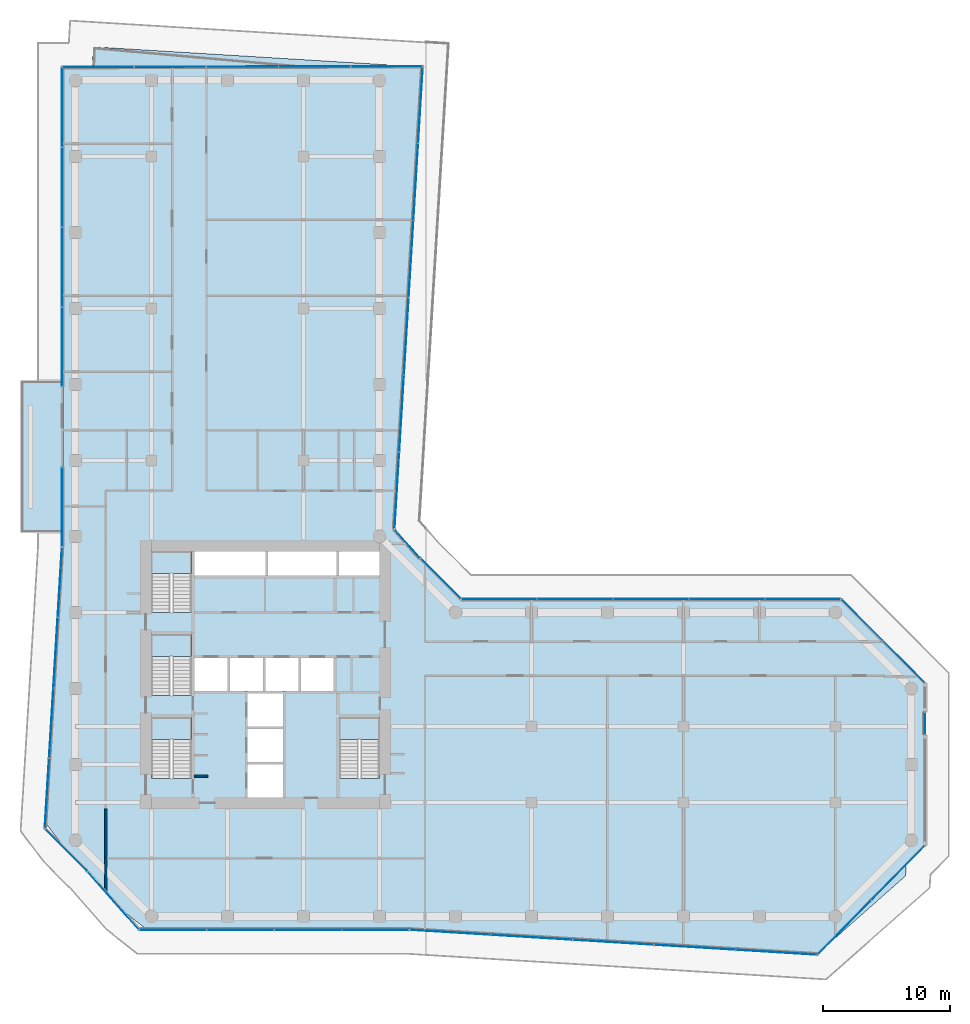
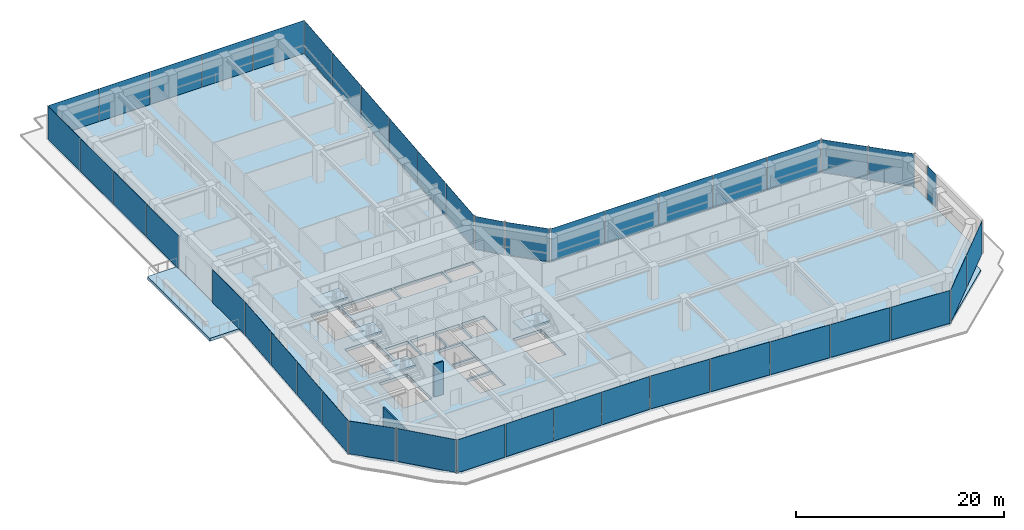
# One storey, part 20 of 27: 43 plates, 6 slabs, 3 walls, 19 elements without a shape of their own.
"""IFC4 building model written with IfcOpenShell, lengths in metres."""

from ifc_helpers import new_model, si_unit, direction, frame, frame_2d, origin, origin_2d, place, context, subcontext, project, spatial, polyline, rectangle, outline, extrude, material, layer, layer_set, type_object, element, aggregate, save


model = new_model("IFC4")

# Units and contexts
model_context = context("Model", 3, precision=1e-05, world=origin(), true_north=direction((0.0, 1.0)))
body_context = subcontext(model_context, "Body", "Model", "MODEL_VIEW")
ifc_project = project(units=[si_unit("LENGTHUNIT", "METRE"), si_unit("AREAUNIT", "SQUARE_METRE"), si_unit("VOLUMEUNIT", "CUBIC_METRE"), si_unit("PLANEANGLEUNIT", "RADIAN"), si_unit("MASSUNIT", "GRAM", prefix="KILO")], contexts=[model_context])

# Site, building, storey
site_placement = place(None, origin())
site = spatial("IfcSite", under=ifc_project, at=site_placement, CompositionType="ELEMENT")
building_placement = place(site_placement, origin())
building = spatial("IfcBuilding", under=site, at=building_placement, Name="Welwitschia Terrace Campus", CompositionType="ELEMENT")
storey_placement = place(building_placement, frame((0.0, 0.0, 37.39990234375)))
storey = spatial("IfcBuildingStorey", under=building, at=storey_placement, Name="L08", CompositionType="ELEMENT", Elevation=37.39990234375)

# Curtain wall, plates
ifc_material_1 = material(Name="Bronze anodised aluminium", Category="aluminium")
ifc_layer_1 = layer(ifc_material_1, 0.1201171875)
ifc_layer_set_1 = layer_set([ifc_layer_1], Name="Bronze anodised aluminium")
curtain_wall_type = type_object("IfcCurtainWallType", Name="Curtain wall CW2 tower 6000", PredefinedType="NOTDEFINED", material=ifc_layer_set_1)
curtain_wall_1_placement = place(storey_placement, origin())
curtain_wall_1 = element("IfcCurtainWall", 1, at=curtain_wall_1_placement, inside=storey, type_object=curtain_wall_type, Name="CW L08.0.0", PredefinedType="NOTDEFINED")
ifc_material_2 = material(Name="Tinted bronze-grey glass", Category="glass")
ifc_layer_2 = layer(ifc_material_2, 0.028076171875)
ifc_layer_set_2 = layer_set([ifc_layer_2], Name="Tinted bronze-grey glass")
plate_type = type_object("IfcPlateType", Name="Glass panel 28 tinted", PredefinedType="CURTAIN_PANEL", material=ifc_layer_set_2)
plate_1_placement = place(storey_placement, frame((-1.228759765625, 22.35693359375, 0.0), z_axis=(0.0, 0.0, 1.0), x_axis=(-0.061048539535, -0.998134798422, 0.0)))
plate_1 = element("IfcPlate", 2, at=plate_1_placement, type_object=plate_type, Name="Panel L08.0.0.0", PredefinedType="CURTAIN_PANEL", context=body_context, shape_type="SweptSolid", body=[
    extrude(rectangle(XDim=5.477783203125, YDim=0.028076171875, at=origin_2d()), origin(), (0.0, 0.0, 1.0), 3.85009765625),
])
plate_2_placement = place(storey_placement, frame((-1.56787109375, 16.814697265625, 0.0), z_axis=(0.0, 0.0, 1.0), x_axis=(-0.061048539535, -0.998134798422, 0.0)))
plate_2 = element("IfcPlate", 3, at=plate_2_placement, type_object=plate_type, Name="Panel L08.0.0.1", PredefinedType="CURTAIN_PANEL", context=body_context, shape_type="SweptSolid", body=[
    extrude(rectangle(XDim=5.507568359375, YDim=0.028076171875, at=origin_2d()), origin(), (0.0, 0.0, 1.0), 3.85009765625),
])
plate_3_placement = place(storey_placement, frame((-1.90771484375, 11.25732421875, 0.0), z_axis=(0.0, 0.0, 1.0), x_axis=(-0.061048539535, -0.998134798422, 0.0)))
plate_3 = element("IfcPlate", 4, at=plate_3_placement, type_object=plate_type, Name="Panel L08.0.0.2", PredefinedType="CURTAIN_PANEL", context=body_context, shape_type="SweptSolid", body=[
    extrude(rectangle(XDim=5.507568359375, YDim=0.028076171875, at=origin_2d()), origin(), (0.0, 0.0, 1.0), 3.85009765625),
])
plate_4_placement = place(storey_placement, frame((-2.246826171875, 5.715087890625, 0.0), z_axis=(0.0, 0.0, 1.0), x_axis=(-0.061048539535, -0.998134798422, 0.0)))
plate_4 = element("IfcPlate", 5, at=plate_4_placement, type_object=plate_type, Name="Panel L08.0.0.3", PredefinedType="CURTAIN_PANEL", context=body_context, shape_type="SweptSolid", body=[
    extrude(rectangle(XDim=5.477783203125, YDim=0.028076171875, at=origin_2d()), origin(), (0.0, 0.0, 1.0), 3.85009765625),
])
aggregate(curtain_wall_1, [plate_1, plate_2, plate_3, plate_4])

# Curtain wall, plate
curtain_wall_2_placement = place(storey_placement, origin())
curtain_wall_2 = element("IfcCurtainWall", 6, at=curtain_wall_2_placement, inside=storey, type_object=curtain_wall_type, Name="CW L08.1.0", PredefinedType="NOTDEFINED")
plate_5_placement = place(storey_placement, frame((-0.72705078125, 1.230712890625, 0.0), z_axis=(0.0, 0.0, 1.0), x_axis=(0.707106781187, -0.707106781187, 0.0)))
plate_5 = element("IfcPlate", 7, at=plate_5_placement, type_object=plate_type, Name="Panel L08.1.0.0", PredefinedType="CURTAIN_PANEL", context=body_context, shape_type="SweptSolid", body=[
    extrude(rectangle(XDim=4.661865234375, YDim=0.028076171875, at=origin_2d()), origin(), (0.0, 0.0, 1.0), 3.85009765625),
])
aggregate(curtain_wall_2, [plate_5])

curtain_wall_3_placement = place(storey_placement, origin())
curtain_wall_3 = element("IfcCurtainWall", 8, at=curtain_wall_3_placement, inside=storey, type_object=curtain_wall_type, Name="CW L08.2.0", PredefinedType="NOTDEFINED")
plate_6_placement = place(storey_placement, frame((2.997802734375, -2.759033203125, 0.0), z_axis=(0.0, 0.0, 1.0), x_axis=(0.662620048216, -0.748955720789, 0.0)))
plate_6 = element("IfcPlate", 9, at=plate_6_placement, type_object=plate_type, Name="Panel L08.2.0.0", PredefinedType="CURTAIN_PANEL", context=body_context, shape_type="SweptSolid", body=[
    extrude(rectangle(XDim=6.019287109375, YDim=0.028076171875, at=origin_2d()), origin(), (0.0, 0.0, 1.0), 3.85009765625),
])
aggregate(curtain_wall_3, [plate_6])

# Curtain wall, plates
curtain_wall_4_placement = place(storey_placement, origin())
curtain_wall_4 = element("IfcCurtainWall", 10, at=curtain_wall_4_placement, inside=storey, type_object=curtain_wall_type, Name="CW L08.3.0", PredefinedType="NOTDEFINED")
plate_7_placement = place(storey_placement, frame((7.71435546875, -5.05810546875, 0.0), z_axis=(0.0, 0.0, 1.0), x_axis=(1.0, 0.0, 0.0)))
plate_7 = element("IfcPlate", 11, at=plate_7_placement, type_object=plate_type, Name="Panel L08.3.0.0", PredefinedType="CURTAIN_PANEL", context=body_context, shape_type="SweptSolid", body=[
    extrude(rectangle(XDim=5.2451171875, YDim=0.028076171875, at=origin_2d()), origin(), (0.0, 0.0, 1.0), 3.85009765625),
])
plate_8_placement = place(storey_placement, frame((13.034423828125, -5.05810546875, 0.0), z_axis=(0.0, 0.0, 1.0), x_axis=(1.0, 0.0, 0.0)))
plate_8 = element("IfcPlate", 12, at=plate_8_placement, type_object=plate_type, Name="Panel L08.3.0.1", PredefinedType="CURTAIN_PANEL", context=body_context, shape_type="SweptSolid", body=[
    extrude(rectangle(XDim=5.275146484375, YDim=0.028076171875, at=origin_2d()), origin(), (0.0, 0.0, 1.0), 3.85009765625),
])
plate_9_placement = place(storey_placement, frame((18.369384765625, -5.05810546875, 0.0), z_axis=(0.0, 0.0, 1.0), x_axis=(1.0, 0.0, 0.0)))
plate_9 = element("IfcPlate", 13, at=plate_9_placement, type_object=plate_type, Name="Panel L08.3.0.2", PredefinedType="CURTAIN_PANEL", context=body_context, shape_type="SweptSolid", body=[
    extrude(rectangle(XDim=5.275146484375, YDim=0.028076171875, at=origin_2d()), origin(), (0.0, 0.0, 1.0), 3.85009765625),
])
plate_10_placement = place(storey_placement, frame((23.689453125, -5.05810546875, 0.0), z_axis=(0.0, 0.0, 1.0), x_axis=(1.0, 0.0, 0.0)))
plate_10 = element("IfcPlate", 14, at=plate_10_placement, type_object=plate_type, Name="Panel L08.3.0.3", PredefinedType="CURTAIN_PANEL", context=body_context, shape_type="SweptSolid", body=[
    extrude(rectangle(XDim=5.2451171875, YDim=0.028076171875, at=origin_2d()), origin(), (0.0, 0.0, 1.0), 3.85009765625),
])
aggregate(curtain_wall_4, [plate_7, plate_8, plate_9, plate_10])

curtain_wall_5_placement = place(storey_placement, origin())
curtain_wall_5 = element("IfcCurtainWall", 15, at=curtain_wall_5_placement, inside=storey, type_object=curtain_wall_type, Name="CW L08.4.0", PredefinedType="NOTDEFINED")
plate_11_placement = place(storey_placement, frame((29.608154296875, -5.255859375, 0.0), z_axis=(0.0, 0.0, 1.0), x_axis=(0.998134798422, -0.061048539535, 0.0)))
plate_11 = element("IfcPlate", 16, at=plate_11_placement, type_object=plate_type, Name="Panel L08.4.0.0", PredefinedType="CURTAIN_PANEL", context=body_context, shape_type="SweptSolid", body=[
    extrude(rectangle(XDim=6.36474609375, YDim=0.028076171875, at=origin_2d()), origin(), (0.0, 0.0, 1.0), 3.85009765625),
])
plate_12_placement = place(storey_placement, frame((36.035888671875, -5.649169921875, 0.0), z_axis=(0.0, 0.0, 1.0), x_axis=(0.998134798422, -0.061048539535, 0.0)))
plate_12 = element("IfcPlate", 17, at=plate_12_placement, type_object=plate_type, Name="Panel L08.4.0.1", PredefinedType="CURTAIN_PANEL", context=body_context, shape_type="SweptSolid", body=[
    extrude(rectangle(XDim=6.39453125, YDim=0.028076171875, at=origin_2d()), origin(), (0.0, 0.0, 1.0), 3.85009765625),
])
plate_13_placement = place(storey_placement, frame((42.478515625, -6.043212890625, 0.0), z_axis=(0.0, 0.0, 1.0), x_axis=(0.998134798422, -0.061048539535, 0.0)))
plate_13 = element("IfcPlate", 18, at=plate_13_placement, type_object=plate_type, Name="Panel L08.4.0.2", PredefinedType="CURTAIN_PANEL", context=body_context, shape_type="SweptSolid", body=[
    extrude(rectangle(XDim=6.39453125, YDim=0.028076171875, at=origin_2d()), origin(), (0.0, 0.0, 1.0), 3.85009765625),
])
plate_14_placement = place(storey_placement, frame((48.921142578125, -6.437255859375, 0.0), z_axis=(0.0, 0.0, 1.0), x_axis=(0.998134798422, -0.061048539535, 0.0)))
plate_14 = element("IfcPlate", 19, at=plate_14_placement, type_object=plate_type, Name="Panel L08.4.0.3", PredefinedType="CURTAIN_PANEL", context=body_context, shape_type="SweptSolid", body=[
    extrude(rectangle(XDim=6.39453125, YDim=0.028076171875, at=origin_2d()), origin(), (0.0, 0.0, 1.0), 3.85009765625),
])
plate_15_placement = place(storey_placement, frame((55.3486328125, -6.830322265625, 0.0), z_axis=(0.0, 0.0, 1.0), x_axis=(0.998134798422, -0.061048539535, 0.0)))
plate_15 = element("IfcPlate", 20, at=plate_15_placement, type_object=plate_type, Name="Panel L08.4.0.4", PredefinedType="CURTAIN_PANEL", context=body_context, shape_type="SweptSolid", body=[
    extrude(rectangle(XDim=6.36474609375, YDim=0.028076171875, at=origin_2d()), origin(), (0.0, 0.0, 1.0), 3.85009765625),
])
aggregate(curtain_wall_5, [plate_11, plate_12, plate_13, plate_14, plate_15])

curtain_wall_6_placement = place(storey_placement, origin())
curtain_wall_6 = element("IfcCurtainWall", 21, at=curtain_wall_6_placement, inside=storey, type_object=curtain_wall_type, Name="CW L08.5.0", PredefinedType="NOTDEFINED")
plate_16_placement = place(storey_placement, frame((60.7138671875, -4.8642578125, 0.0), z_axis=(0.0, 0.0, 1.0), x_axis=(0.701281216339, 0.712884742164, 0.0)))
plate_16 = element("IfcPlate", 22, at=plate_16_placement, type_object=plate_type, Name="Panel L08.5.0.0", PredefinedType="CURTAIN_PANEL", context=body_context, shape_type="SweptSolid", body=[
    extrude(rectangle(XDim=5.951171875, YDim=0.028076171875, at=origin_2d()), origin(), (0.0, 0.0, 1.0), 3.85009765625),
])
plate_17_placement = place(storey_placement, frame((64.92919921875, -0.5791015625, 0.0), z_axis=(0.0, 0.0, 1.0), x_axis=(0.701281216339, 0.712884742164, 0.0)))
plate_17 = element("IfcPlate", 23, at=plate_17_placement, type_object=plate_type, Name="Panel L08.5.0.1", PredefinedType="CURTAIN_PANEL", context=body_context, shape_type="SweptSolid", body=[
    extrude(rectangle(XDim=5.951171875, YDim=0.028076171875, at=origin_2d()), origin(), (0.0, 0.0, 1.0), 3.85009765625),
])
aggregate(curtain_wall_6, [plate_16, plate_17])

# Curtain wall, plate
curtain_wall_7_placement = place(storey_placement, origin())
curtain_wall_7 = element("IfcCurtainWall", 24, at=curtain_wall_7_placement, inside=storey, type_object=curtain_wall_type, Name="CW L08.6.S0", PredefinedType="NOTDEFINED")
plate_18_placement = place(storey_placement, frame((67.05810546875, 11.224853515625, 0.0), z_axis=(0.0, 0.0, 1.0), x_axis=(0.0, 1.0, 0.0)))
plate_18 = element("IfcPlate", 25, at=plate_18_placement, type_object=plate_type, Name="Panel L08.6.S0.0", PredefinedType="CURTAIN_PANEL", context=body_context, shape_type="SweptSolid", body=[
    extrude(rectangle(XDim=1.679931640625, YDim=0.028076171875, at=origin_2d()), origin(), (0.0, 0.0, 1.0), 3.85009765625),
])
aggregate(curtain_wall_7, [plate_18])

# Curtain wall, plates
curtain_wall_8_placement = place(storey_placement, origin())
curtain_wall_8 = element("IfcCurtainWall", 26, at=curtain_wall_8_placement, inside=storey, type_object=curtain_wall_type, Name="CW L08.7.0", PredefinedType="NOTDEFINED")
plate_19_placement = place(storey_placement, frame((65.392333984375, 16.103759765625, 0.0), z_axis=(0.0, 0.0, 1.0), x_axis=(-0.707106781187, 0.707106781187, 0.0)))
plate_19 = element("IfcPlate", 27, at=plate_19_placement, type_object=plate_type, Name="Panel L08.7.0.0", PredefinedType="CURTAIN_PANEL", context=body_context, shape_type="SweptSolid", body=[
    extrude(rectangle(XDim=4.5908203125, YDim=0.028076171875, at=origin_2d()), origin(), (0.0, 0.0, 1.0), 3.85009765625),
])
plate_20_placement = place(storey_placement, frame((62.103759765625, 19.392333984375, 0.0), z_axis=(0.0, 0.0, 1.0), x_axis=(-0.707106781187, 0.707106781187, 0.0)))
plate_20 = element("IfcPlate", 28, at=plate_20_placement, type_object=plate_type, Name="Panel L08.7.0.1", PredefinedType="CURTAIN_PANEL", context=body_context, shape_type="SweptSolid", body=[
    extrude(rectangle(XDim=4.5908203125, YDim=0.028076171875, at=origin_2d()), origin(), (0.0, 0.0, 1.0), 3.85009765625),
])
aggregate(curtain_wall_8, [plate_19, plate_20])

curtain_wall_9_placement = place(storey_placement, origin())
curtain_wall_9 = element("IfcCurtainWall", 29, at=curtain_wall_9_placement, inside=storey, type_object=curtain_wall_type, Name="CW L08.8.0", PredefinedType="NOTDEFINED")
plate_21_placement = place(storey_placement, frame((57.42333984375, 21.05810546875, 0.0), z_axis=(0.0, 0.0, 1.0), x_axis=(-1.0, 0.0, 0.0)))
plate_21 = element("IfcPlate", 30, at=plate_21_placement, type_object=plate_type, Name="Panel L08.8.0.0", PredefinedType="CURTAIN_PANEL", context=body_context, shape_type="SweptSolid", body=[
    extrude(rectangle(XDim=5.909912109375, YDim=0.028076171875, at=origin_2d()), origin(), (0.0, 0.0, 1.0), 3.85009765625),
])
plate_22_placement = place(storey_placement, frame((51.438232421875, 21.05810546875, 0.0), z_axis=(0.0, 0.0, 1.0), x_axis=(-1.0, 0.0, 0.0)))
plate_22 = element("IfcPlate", 31, at=plate_22_placement, type_object=plate_type, Name="Panel L08.8.0.1", PredefinedType="CURTAIN_PANEL", context=body_context, shape_type="SweptSolid", body=[
    extrude(rectangle(XDim=5.93994140625, YDim=0.028076171875, at=origin_2d()), origin(), (0.0, 0.0, 1.0), 3.85009765625),
])
plate_23_placement = place(storey_placement, frame((45.438232421875, 21.05810546875, 0.0), z_axis=(0.0, 0.0, 1.0), x_axis=(-1.0, 0.0, 0.0)))
plate_23 = element("IfcPlate", 32, at=plate_23_placement, type_object=plate_type, Name="Panel L08.8.0.2", PredefinedType="CURTAIN_PANEL", context=body_context, shape_type="SweptSolid", body=[
    extrude(rectangle(XDim=5.93994140625, YDim=0.028076171875, at=origin_2d()), origin(), (0.0, 0.0, 1.0), 3.85009765625),
])
plate_24_placement = place(storey_placement, frame((39.438232421875, 21.05810546875, 0.0), z_axis=(0.0, 0.0, 1.0), x_axis=(-1.0, 0.0, 0.0)))
plate_24 = element("IfcPlate", 33, at=plate_24_placement, type_object=plate_type, Name="Panel L08.8.0.3", PredefinedType="CURTAIN_PANEL", context=body_context, shape_type="SweptSolid", body=[
    extrude(rectangle(XDim=5.93994140625, YDim=0.028076171875, at=origin_2d()), origin(), (0.0, 0.0, 1.0), 3.85009765625),
])
plate_25_placement = place(storey_placement, frame((33.453125, 21.05810546875, 0.0), z_axis=(0.0, 0.0, 1.0), x_axis=(-1.0, 0.0, 0.0)))
plate_25 = element("IfcPlate", 34, at=plate_25_placement, type_object=plate_type, Name="Panel L08.8.0.4", PredefinedType="CURTAIN_PANEL", context=body_context, shape_type="SweptSolid", body=[
    extrude(rectangle(XDim=5.909912109375, YDim=0.028076171875, at=origin_2d()), origin(), (0.0, 0.0, 1.0), 3.85009765625),
])
aggregate(curtain_wall_9, [plate_21, plate_22, plate_23, plate_24, plate_25])

# Curtain wall, plate
curtain_wall_10_placement = place(storey_placement, origin())
curtain_wall_10 = element("IfcCurtainWall", 35, at=curtain_wall_10_placement, inside=storey, type_object=curtain_wall_type, Name="CW L08.9.0", PredefinedType="NOTDEFINED")
plate_26_placement = place(storey_placement, frame((28.838623046875, 22.65771484375, 0.0), z_axis=(0.0, 0.0, 1.0), x_axis=(-0.707106781187, 0.707106781187, 0.0)))
plate_26 = element("IfcPlate", 36, at=plate_26_placement, type_object=plate_type, Name="Panel L08.9.0.0", PredefinedType="CURTAIN_PANEL", context=body_context, shape_type="SweptSolid", body=[
    extrude(rectangle(XDim=4.404541015625, YDim=0.028076171875, at=origin_2d()), origin(), (0.0, 0.0, 1.0), 3.85009765625),
])
aggregate(curtain_wall_10, [plate_26])

curtain_wall_11_placement = place(storey_placement, origin())
curtain_wall_11 = element("IfcCurtainWall", 37, at=curtain_wall_11_placement, inside=storey, type_object=curtain_wall_type, Name="CW L08.10.0", PredefinedType="NOTDEFINED")
plate_27_placement = place(storey_placement, frame((26.21630859375, 25.413330078125, 0.0), z_axis=(0.0, 0.0, 1.0), x_axis=(-0.662620048216, 0.748955720789, 0.0)))
plate_27 = element("IfcPlate", 38, at=plate_27_placement, type_object=plate_type, Name="Panel L08.10.0.0", PredefinedType="CURTAIN_PANEL", context=body_context, shape_type="SweptSolid", body=[
    extrude(rectangle(XDim=2.966796875, YDim=0.028076171875, at=origin_2d()), origin(), (0.0, 0.0, 1.0), 3.85009765625),
])
aggregate(curtain_wall_11, [plate_27])

# Curtain wall, plates
curtain_wall_12_placement = place(storey_placement, origin())
curtain_wall_12 = element("IfcCurtainWall", 39, at=curtain_wall_12_placement, inside=storey, type_object=curtain_wall_type, Name="CW L08.11.0", PredefinedType="NOTDEFINED")
plate_28_placement = place(storey_placement, frame((25.380859375, 29.630126953125, 0.0), z_axis=(0.0, 0.0, 1.0), x_axis=(0.061048539535, 0.998134798422, 0.0)))
plate_28 = element("IfcPlate", 40, at=plate_28_placement, type_object=plate_type, Name="Panel L08.11.0.0", PredefinedType="CURTAIN_PANEL", context=body_context, shape_type="SweptSolid", body=[
    extrude(rectangle(XDim=6.01318359375, YDim=0.028076171875, at=origin_2d()), origin(), (0.0, 0.0, 1.0), 3.85009765625),
])
plate_29_placement = place(storey_placement, frame((25.75244140625, 35.70703125, 0.0), z_axis=(0.0, 0.0, 1.0), x_axis=(0.061048539535, 0.998134798422, 0.0)))
plate_29 = element("IfcPlate", 41, at=plate_29_placement, type_object=plate_type, Name="Panel L08.11.0.1", PredefinedType="CURTAIN_PANEL", context=body_context, shape_type="SweptSolid", body=[
    extrude(rectangle(XDim=6.043212890625, YDim=0.028076171875, at=origin_2d()), origin(), (0.0, 0.0, 1.0), 3.85009765625),
])
plate_30_placement = place(storey_placement, frame((26.125, 41.798828125, 0.0), z_axis=(0.0, 0.0, 1.0), x_axis=(0.061048539535, 0.998134798422, 0.0)))
plate_30 = element("IfcPlate", 42, at=plate_30_placement, type_object=plate_type, Name="Panel L08.11.0.2", PredefinedType="CURTAIN_PANEL", context=body_context, shape_type="SweptSolid", body=[
    extrude(rectangle(XDim=6.043212890625, YDim=0.028076171875, at=origin_2d()), origin(), (0.0, 0.0, 1.0), 3.85009765625),
])
plate_31_placement = place(storey_placement, frame((26.49755859375, 47.890869140625, 0.0), z_axis=(0.0, 0.0, 1.0), x_axis=(0.061048539535, 0.998134798422, 0.0)))
plate_31 = element("IfcPlate", 43, at=plate_31_placement, type_object=plate_type, Name="Panel L08.11.0.3", PredefinedType="CURTAIN_PANEL", context=body_context, shape_type="SweptSolid", body=[
    extrude(rectangle(XDim=6.043212890625, YDim=0.028076171875, at=origin_2d()), origin(), (0.0, 0.0, 1.0), 3.85009765625),
])
plate_32_placement = place(storey_placement, frame((26.870361328125, 53.982666015625, 0.0), z_axis=(0.0, 0.0, 1.0), x_axis=(0.061048539535, 0.998134798422, 0.0)))
plate_32 = element("IfcPlate", 44, at=plate_32_placement, type_object=plate_type, Name="Panel L08.11.0.4", PredefinedType="CURTAIN_PANEL", context=body_context, shape_type="SweptSolid", body=[
    extrude(rectangle(XDim=6.043212890625, YDim=0.028076171875, at=origin_2d()), origin(), (0.0, 0.0, 1.0), 3.85009765625),
])
plate_33_placement = place(storey_placement, frame((27.241943359375, 60.059814453125, 0.0), z_axis=(0.0, 0.0, 1.0), x_axis=(0.061048539535, 0.998134798422, 0.0)))
plate_33 = element("IfcPlate", 45, at=plate_33_placement, type_object=plate_type, Name="Panel L08.11.0.5", PredefinedType="CURTAIN_PANEL", context=body_context, shape_type="SweptSolid", body=[
    extrude(rectangle(XDim=6.01318359375, YDim=0.028076171875, at=origin_2d()), origin(), (0.0, 0.0, 1.0), 3.85009765625),
])
aggregate(curtain_wall_12, [plate_28, plate_29, plate_30, plate_31, plate_32, plate_33])

curtain_wall_13_placement = place(storey_placement, origin())
curtain_wall_13 = element("IfcCurtainWall", 46, at=curtain_wall_13_placement, inside=storey, type_object=curtain_wall_type, Name="CW L08.12.0", PredefinedType="NOTDEFINED")
plate_34_placement = place(storey_placement, frame((24.5654296875, 63.11376953125, 0.0), z_axis=(0.0, 0.0, 1.0), x_axis=(-0.999997136149, -0.002393259997, 0.0)))
plate_34 = element("IfcPlate", 47, at=plate_34_placement, type_object=plate_type, Name="Panel L08.12.0.0", PredefinedType="CURTAIN_PANEL", context=body_context, shape_type="SweptSolid", body=[
    extrude(rectangle(XDim=5.607421875, YDim=0.028076171875, at=origin_2d()), origin(), (0.0, 0.0, 1.0), 3.85009765625),
])
plate_35_placement = place(storey_placement, frame((18.883056640625, 63.10009765625, 0.0), z_axis=(0.0, 0.0, 1.0), x_axis=(-0.999997136149, -0.002393259997, 0.0)))
plate_35 = element("IfcPlate", 48, at=plate_35_placement, type_object=plate_type, Name="Panel L08.12.0.1", PredefinedType="CURTAIN_PANEL", context=body_context, shape_type="SweptSolid", body=[
    extrude(rectangle(XDim=5.637451171875, YDim=0.028076171875, at=origin_2d()), origin(), (0.0, 0.0, 1.0), 3.85009765625),
])
plate_36_placement = place(storey_placement, frame((13.185546875, 63.08642578125, 0.0), z_axis=(0.0, 0.0, 1.0), x_axis=(-0.999997136149, -0.002393259997, 0.0)))
plate_36 = element("IfcPlate", 49, at=plate_36_placement, type_object=plate_type, Name="Panel L08.12.0.2", PredefinedType="CURTAIN_PANEL", context=body_context, shape_type="SweptSolid", body=[
    extrude(rectangle(XDim=5.637451171875, YDim=0.028076171875, at=origin_2d()), origin(), (0.0, 0.0, 1.0), 3.85009765625),
])
plate_37_placement = place(storey_placement, frame((7.488037109375, 63.072998046875, 0.0), z_axis=(0.0, 0.0, 1.0), x_axis=(-0.999997136149, -0.002393259997, 0.0)))
plate_37 = element("IfcPlate", 50, at=plate_37_placement, type_object=plate_type, Name="Panel L08.12.0.3", PredefinedType="CURTAIN_PANEL", context=body_context, shape_type="SweptSolid", body=[
    extrude(rectangle(XDim=5.637451171875, YDim=0.028076171875, at=origin_2d()), origin(), (0.0, 0.0, 1.0), 3.85009765625),
])
plate_38_placement = place(storey_placement, frame((1.8056640625, 63.059326171875, 0.0), z_axis=(0.0, 0.0, 1.0), x_axis=(-0.999997136149, -0.002393259997, 0.0)))
plate_38 = element("IfcPlate", 51, at=plate_38_placement, type_object=plate_type, Name="Panel L08.12.0.4", PredefinedType="CURTAIN_PANEL", context=body_context, shape_type="SweptSolid", body=[
    extrude(rectangle(XDim=5.607421875, YDim=0.028076171875, at=origin_2d()), origin(), (0.0, 0.0, 1.0), 3.85009765625),
])
aggregate(curtain_wall_13, [plate_34, plate_35, plate_36, plate_37, plate_38])

curtain_wall_14_placement = place(storey_placement, origin())
curtain_wall_14 = element("IfcCurtainWall", 52, at=curtain_wall_14_placement, inside=storey, type_object=curtain_wall_type, Name="CW L08.13.0", PredefinedType="NOTDEFINED")
plate_39_placement = place(storey_placement, frame((-1.05810546875, 59.87890625, 0.0), z_axis=(0.0, 0.0, 1.0), x_axis=(0.0, -1.0, 0.0)))
plate_39 = element("IfcPlate", 53, at=plate_39_placement, type_object=plate_type, Name="Panel L08.13.0.0", PredefinedType="CURTAIN_PANEL", context=body_context, shape_type="SweptSolid", body=[
    extrude(rectangle(XDim=6.22705078125, YDim=0.028076171875, at=origin_2d()), origin(), (0.0, 0.0, 1.0), 3.85009765625),
])
plate_40_placement = place(storey_placement, frame((-1.05810546875, 53.576904296875, 0.0), z_axis=(0.0, 0.0, 1.0), x_axis=(0.0, -1.0, 0.0)))
plate_40 = element("IfcPlate", 54, at=plate_40_placement, type_object=plate_type, Name="Panel L08.13.0.1", PredefinedType="CURTAIN_PANEL", context=body_context, shape_type="SweptSolid", body=[
    extrude(rectangle(XDim=6.257080078125, YDim=0.028076171875, at=origin_2d()), origin(), (0.0, 0.0, 1.0), 3.85009765625),
])
plate_41_placement = place(storey_placement, frame((-1.05810546875, 47.260009765625, 0.0), z_axis=(0.0, 0.0, 1.0), x_axis=(0.0, -1.0, 0.0)))
plate_41 = element("IfcPlate", 55, at=plate_41_placement, type_object=plate_type, Name="Panel L08.13.0.2", PredefinedType="CURTAIN_PANEL", context=body_context, shape_type="SweptSolid", body=[
    extrude(rectangle(XDim=6.257080078125, YDim=0.028076171875, at=origin_2d()), origin(), (0.0, 0.0, 1.0), 3.85009765625),
])
plate_42_placement = place(storey_placement, frame((-1.05810546875, 40.9580078125, 0.0), z_axis=(0.0, 0.0, 1.0), x_axis=(0.0, -1.0, 0.0)))
plate_42 = element("IfcPlate", 56, at=plate_42_placement, type_object=plate_type, Name="Panel L08.13.0.3", PredefinedType="CURTAIN_PANEL", context=body_context, shape_type="SweptSolid", body=[
    extrude(rectangle(XDim=6.22705078125, YDim=0.028076171875, at=origin_2d()), origin(), (0.0, 0.0, 1.0), 3.85009765625),
])
aggregate(curtain_wall_14, [plate_39, plate_40, plate_41, plate_42])

# Curtain wall, plate
curtain_wall_15_placement = place(storey_placement, origin())
curtain_wall_15 = element("IfcCurtainWall", 57, at=curtain_wall_15_placement, inside=storey, type_object=curtain_wall_type, Name="CW L08.13.5", PredefinedType="NOTDEFINED")
plate_43_placement = place(storey_placement, frame((-1.05810546875, 28.30908203125, 0.0), z_axis=(0.0, 0.0, 1.0), x_axis=(0.0, -1.0, 0.0)))
plate_43 = element("IfcPlate", 58, at=plate_43_placement, type_object=plate_type, Name="Panel L08.13.5.0", PredefinedType="CURTAIN_PANEL", context=body_context, shape_type="SweptSolid", body=[
    extrude(rectangle(XDim=6.197021484375, YDim=0.028076171875, at=origin_2d()), origin(), (0.0, 0.0, 1.0), 3.85009765625),
])
aggregate(curtain_wall_15, [plate_43])

# Stair, slab
ifc_material_3 = material(Name="Concrete C40/50", Category="concrete")
stair_type = type_object("IfcStairType", Name="Stair 24R 175 W1500", PredefinedType="HALF_TURN_STAIR", material=ifc_material_3)
stair_1_placement = place(storey_placement, origin())
stair_1 = element("IfcStair", 59, at=stair_1_placement, inside=storey, type_object=stair_type, Name="L08 Exit stair S1", PredefinedType="HALF_TURN_STAIR")
ifc_material_4 = material(Name="Concrete C40/50", Category="concrete")
ifc_layer_3 = layer(ifc_material_4, 0.199951171875)
ifc_layer_set_3 = layer_set([ifc_layer_3], Name="Concrete C40/50")
slab_type_1 = type_object("IfcSlabType", Name="Stair landing RC", PredefinedType="LANDING", material=ifc_layer_set_3)
slab_1_placement = place(storey_placement, frame((0.0, 0.0, 1.900146484375)))
slab_1 = element("IfcSlab", 60, at=slab_1_placement, type_object=slab_type_1, Name="S1 landing 1", PredefinedType="LANDING", context=body_context, shape_type="SweptSolid", body=[
    extrude(outline(polyline([(9.14990234375, 9.97998046875), (9.14990234375, 11.699951171875), (6.0, 11.699951171875), (6.0, 9.97998046875), (9.14990234375, 9.97998046875)])), origin(), (0.0, 0.0, 1.0), 0.199951171875),
])
aggregate(stair_1, [slab_1])

stair_2_placement = place(storey_placement, origin())
stair_2 = element("IfcStair", 61, at=stair_2_placement, inside=storey, type_object=stair_type, Name="L08 Exit stair S3", PredefinedType="HALF_TURN_STAIR")
slab_2_placement = place(storey_placement, frame((0.0, 0.0, 1.900146484375)))
slab_2 = element("IfcSlab", 62, at=slab_2_placement, type_object=slab_type_1, Name="S3 landing 1", PredefinedType="LANDING", context=body_context, shape_type="SweptSolid", body=[
    extrude(outline(polyline([(9.14990234375, 16.530029296875), (9.14990234375, 18.25), (6.0, 18.25), (6.0, 16.530029296875), (9.14990234375, 16.530029296875)])), origin(), (0.0, 0.0, 1.0), 0.199951171875),
])
aggregate(stair_2, [slab_2])

stair_3_placement = place(storey_placement, origin())
stair_3 = element("IfcStair", 63, at=stair_3_placement, inside=storey, type_object=stair_type, Name="L08 Exit stair S4", PredefinedType="HALF_TURN_STAIR")
slab_3_placement = place(storey_placement, frame((0.0, 0.0, 1.900146484375)))
slab_3 = element("IfcSlab", 64, at=slab_3_placement, type_object=slab_type_1, Name="S4 landing 1", PredefinedType="LANDING", context=body_context, shape_type="SweptSolid", body=[
    extrude(outline(polyline([(9.14990234375, 23.080078125), (9.14990234375, 24.800048828125), (6.0, 24.800048828125), (6.0, 23.080078125), (9.14990234375, 23.080078125)])), origin(), (0.0, 0.0, 1.0), 0.199951171875),
])
aggregate(stair_3, [slab_3])

stair_4_placement = place(storey_placement, origin())
stair_4 = element("IfcStair", 65, at=stair_4_placement, inside=storey, type_object=stair_type, Name="L08 Exit stair S2", PredefinedType="HALF_TURN_STAIR")
slab_4_placement = place(storey_placement, frame((0.0, 0.0, 1.900146484375)))
slab_4 = element("IfcSlab", 66, at=slab_4_placement, type_object=slab_type_1, Name="S2 landing 1", PredefinedType="LANDING", context=body_context, shape_type="SweptSolid", body=[
    extrude(outline(polyline([(24.0, 9.97998046875), (24.0, 11.699951171875), (20.85009765625, 11.699951171875), (20.85009765625, 9.97998046875), (24.0, 9.97998046875)])), origin(), (0.0, 0.0, 1.0), 0.199951171875),
])
aggregate(stair_4, [slab_4])

# Slabs
ifc_material_5 = material(Name="Concrete C40/50", Category="concrete")
ifc_layer_4 = layer(ifc_material_5, 0.35009765625)
ifc_layer_set_4 = layer_set([ifc_layer_4], Name="Concrete C40/50")
slab_type_2 = type_object("IfcSlabType", Name="Suspended floor slab 350", PredefinedType="FLOOR", material=ifc_layer_set_4)
slab_5_placement = place(storey_placement, frame((0.0, 0.0, -0.349853515625)))
element("IfcSlab", 67, at=slab_5_placement, inside=storey, type_object=slab_type_2, Name="Floor slab L08", PredefinedType="FLOOR", context=body_context, shape_type="SweptSolid", body=[
    extrude(outline(polyline([(1.315185546875, 63.0), (1.416259765625, 64.653564453125), (27.36767578125, 63.066162109375), (25.13427734375, 26.548828125), (27.19677734375, 24.217529296875), (30.414306640625, 21.0), (60.414306640625, 21.0), (67.0, 14.414306640625), (67.0, 1.585693359375), (65.600341796875, 0.18603515625), (65.5400390625, -0.79736328125), (58.564697265625, -6.968994140625), (26.373779296875, -5.0), (5.585693359375, -5.0), (3.83837890625, -3.62158203125), (1.006103515625, -0.420166015625), (-1.0, 1.585693359375), (-2.3330078125, 3.353759765625), (-1.0, 25.148681640625), (-1.0, 26.290771484375), (-0.985107421875, 26.290771484375), (-0.985107421875, 38.294921875), (-1.0, 38.294921875), (-1.0, 63.0), (1.315185546875, 63.0)]), holes=[polyline([(13.60009765625, 5.39990234375), (16.39990234375, 5.39990234375), (16.39990234375, 8.0), (13.60009765625, 8.0), (13.60009765625, 5.39990234375)]), polyline([(6.0, 11.699951171875), (6.0, 6.902099609375), (9.14990234375, 6.902099609375), (9.14990234375, 11.699951171875), (6.0, 11.699951171875)]), polyline([(9.39990234375, 16.39990234375), (9.39990234375, 13.800048828125), (12.0, 13.800048828125), (12.0, 16.39990234375), (9.39990234375, 16.39990234375)]), polyline([(12.199951171875, 16.39990234375), (12.199951171875, 13.800048828125), (14.800048828125, 13.800048828125), (14.800048828125, 16.39990234375), (12.199951171875, 16.39990234375)]), polyline([(6.0, 18.25), (6.0, 13.451904296875), (9.14990234375, 13.451904296875), (9.14990234375, 18.25), (6.0, 18.25)]), polyline([(6.0, 24.800048828125), (6.0, 20.001953125), (9.14990234375, 20.001953125), (9.14990234375, 24.800048828125), (6.0, 24.800048828125)]), polyline([(9.39990234375, 24.800048828125), (9.39990234375, 22.89990234375), (15.0, 22.89990234375), (15.0, 24.800048828125), (9.39990234375, 24.800048828125)]), polyline([(20.85009765625, 6.902099609375), (24.0, 6.902099609375), (24.0, 11.699951171875), (20.85009765625, 11.699951171875), (20.85009765625, 6.902099609375)]), polyline([(13.60009765625, 10.800048828125), (13.60009765625, 8.199951171875), (16.39990234375, 8.199951171875), (16.39990234375, 10.800048828125), (13.60009765625, 10.800048828125)]), polyline([(13.60009765625, 13.60009765625), (13.60009765625, 11.0), (16.39990234375, 11.0), (16.39990234375, 13.60009765625), (13.60009765625, 13.60009765625)]), polyline([(15.0, 16.39990234375), (15.0, 13.800048828125), (17.60009765625, 13.800048828125), (17.60009765625, 16.39990234375), (15.0, 16.39990234375)]), polyline([(17.800048828125, 16.39990234375), (17.800048828125, 13.800048828125), (20.39990234375, 13.800048828125), (20.39990234375, 16.39990234375), (17.800048828125, 16.39990234375)]), polyline([(15.199951171875, 24.800048828125), (15.199951171875, 22.89990234375), (20.60009765625, 22.89990234375), (20.60009765625, 24.800048828125), (15.199951171875, 24.800048828125)]), polyline([(20.800048828125, 24.800048828125), (20.800048828125, 22.89990234375), (24.0, 22.89990234375), (24.0, 24.800048828125), (20.800048828125, 24.800048828125)])]), origin(), (0.0, 0.0, 1.0), 0.349853515625),
])
ifc_material_6 = material(Name="Concrete C40/50", Category="concrete")
ifc_layer_5 = layer(ifc_material_6, 0.35009765625)
ifc_layer_set_5 = layer_set([ifc_layer_5], Name="Concrete C40/50")
slab_type_3 = type_object("IfcSlabType", Name="Terrace slab 350", PredefinedType="FLOOR", material=ifc_layer_set_5)
slab_6_placement = place(storey_placement, frame((0.0, 0.0, -0.349853515625)))
element("IfcSlab", 68, at=slab_6_placement, inside=storey, type_object=slab_type_3, Name="Terrace slab", PredefinedType="FLOOR", context=body_context, shape_type="SweptSolid", body=[
    extrude(outline(polyline([(-4.300048828125, 26.29296875), (-4.300048828125, 38.29296875), (-1.014892578125, 38.29296875), (-1.014892578125, 26.29296875), (-4.300048828125, 26.29296875)])), origin(), (0.0, 0.0, 1.0), 0.349853515625),
])

# Walls
ifc_material_7 = material(Name="Concrete C50/60", Category="concrete")
ifc_layer_6 = layer(ifc_material_7, 0.14990234375)
ifc_layer_set_6 = layer_set([ifc_layer_6], Name="Concrete C50/60")
wall_type_1 = type_object("IfcWallType", Name="Core wall 150 Concrete C50/60", PredefinedType="SHEAR", material=ifc_layer_set_6)
wall_1_placement = place(storey_placement, frame((9.39990234375, 7.074951171875, 0.0), z_axis=(0.0, 0.0, 1.0), x_axis=(1.0, 0.0, 0.0)))
element("IfcWall", 69, at=wall_1_placement, inside=storey, type_object=wall_type_1, Name="Core wall", PredefinedType="SHEAR", context=body_context, shape_type="SweptSolid", body=[
    extrude(rectangle(XDim=1.050048828125, YDim=0.14990234375, at=frame_2d((0.52490234375, 0.0))), origin(), (0.0, 0.0, 1.0), 3.85009765625),
])
ifc_material_8 = material(Name="Gypsum board on steel studs", Category="steel")
ifc_layer_7 = layer(ifc_material_8, 0.14990234375)
ifc_layer_set_7 = layer_set([ifc_layer_7], Name="Gypsum board on steel studs")
wall_type_2 = type_object("IfcWallType", Name="Corridor partition 150 EI 30", PredefinedType="PARTITIONING", material=ifc_layer_set_7)
wall_2_placement = place(storey_placement, frame((2.39990234375, -1.992919921875, 0.0), z_axis=(0.0, 0.0, 1.0), x_axis=(0.0, 1.0, 0.0)))
element("IfcWall", 70, at=wall_2_placement, inside=storey, type_object=wall_type_2, Name="Partition", PredefinedType="PARTITIONING", context=body_context, shape_type="SweptSolid", body=[
    extrude(rectangle(XDim=2.593017578125, YDim=0.14990234375, at=frame_2d((1.29638671875, 0.0))), origin(), (0.0, 0.0, 1.0), 2.830078125),
])
wall_3_placement = place(storey_placement, frame((2.39990234375, 0.60009765625, 0.0), z_axis=(0.0, 0.0, 1.0), x_axis=(0.0, 1.0, 0.0)))
element("IfcWall", 71, at=wall_3_placement, inside=storey, type_object=wall_type_2, Name="Partition", PredefinedType="PARTITIONING", context=body_context, shape_type="SweptSolid", body=[
    extrude(rectangle(XDim=3.89990234375, YDim=0.14990234375, at=frame_2d((1.949951171875, 0.0))), origin(), (0.0, 0.0, 1.0), 2.830078125),
])

save(model, "model.ifc")
